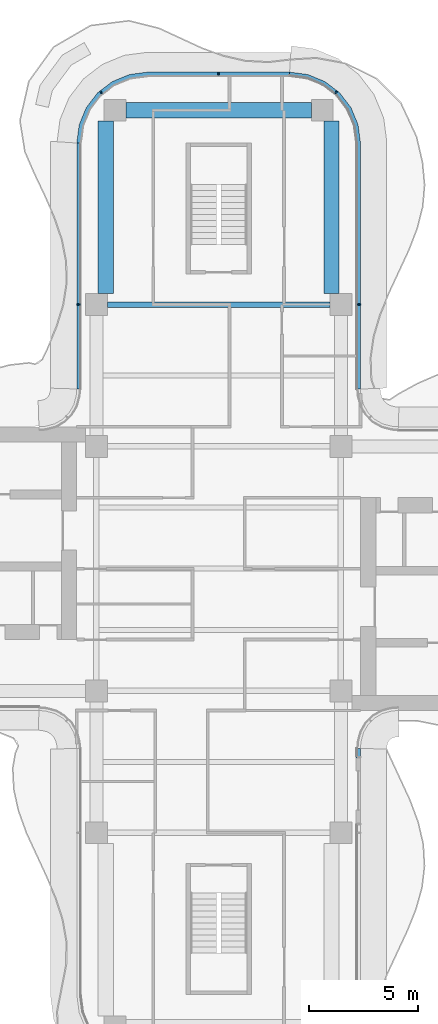
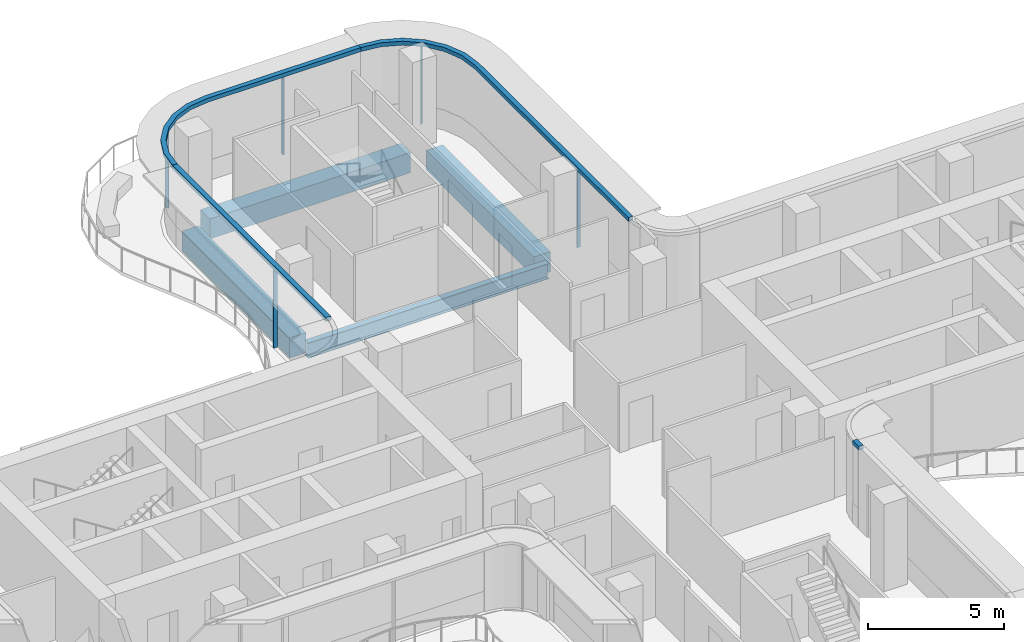
# One storey, part 7 of 17: 9 members, 4 beams, 4 elements without a shape of their own.
"""IFC4 building model written with IfcOpenShell, lengths in metres."""

from ifc_helpers import new_model, si_unit, direction, frame, origin, origin_2d, place, context, subcontext, project, spatial, polyline, rectangle, i_section, outline, extrude, source, transform, mapped, material, layer, layer_set, material_profile, profile_set, type_object, element, aggregate, save


model = new_model("IFC4")

# Units and contexts
model_context = context("Model", 3, precision=1e-05, world=origin(), true_north=direction((0.0, 1.0)))
body_context = subcontext(model_context, "Body", "Model", "MODEL_VIEW")
ifc_project = project(units=[si_unit("LENGTHUNIT", "METRE"), si_unit("AREAUNIT", "SQUARE_METRE"), si_unit("VOLUMEUNIT", "CUBIC_METRE"), si_unit("PLANEANGLEUNIT", "RADIAN"), si_unit("MASSUNIT", "GRAM", prefix="KILO")], contexts=[model_context])

# Site, building, storey
site_placement = place(None, origin())
site = spatial("IfcSite", under=ifc_project, at=site_placement, CompositionType="ELEMENT")
building_placement = place(site_placement, origin())
building = spatial("IfcBuilding", under=site, at=building_placement, Name="Trellis Farm Tower", CompositionType="ELEMENT")
storey_placement = place(building_placement, frame((0.0, 0.0, 283.300048828125)))
storey = spatial("IfcBuildingStorey", under=building, at=storey_placement, Name="L63", CompositionType="ELEMENT", Elevation=283.300048828125)

# Beams
ifc_material_1 = material(Name="Steel S355", Category="steel")
ifc_material_profile_1 = material_profile(ifc_material_1, i_section(OverallWidth=0.253662109375, OverallDepth=0.68359375, WebThickness=0.012451171875, FlangeThickness=0.021728515625, FilletRadius=0.01513671875, at=origin_2d()), Name="UB 686x254x140")
ifc_profile_set_1 = profile_set([ifc_material_profile_1], Name="Steel S355")
beam_type_1 = type_object("IfcBeamType", Name="UB 686x254x140", PredefinedType="BEAM", material=ifc_profile_set_1)
shared_shape_1 = source(origin(), body_context, "Body", "SweptSolid", [
    extrude(i_section(OverallWidth=0.253662109375, OverallDepth=0.68359375, WebThickness=0.012451171875, FlangeThickness=0.021728515625, FilletRadius=0.01513671875, at=origin_2d()), origin(), (0.0, 0.0, 1.0), 10.2001953125),
])
beam_1_placement = place(storey_placement, frame((-5.10009765625, 12.10009765625, -0.541748046875), z_axis=(1.0, 0.0, 0.0), x_axis=(0.0, 1.0, 0.0)))
element("IfcBeam", 1, at=beam_1_placement, inside=storey, type_object=beam_type_1, Name="Girder", PredefinedType="BEAM", context=body_context, shape_type="MappedRepresentation", body=[
    mapped(shared_shape_1, transform((0.0, 0.0, 0.0))),
])
ifc_material_2 = material(Name="Concrete C60/75", Category="concrete")
ifc_material_profile_2 = material_profile(ifc_material_2, rectangle(XDim=0.699951171875, YDim=0.89990234375, at=origin_2d()), Name="RC spandrel beam 700x900 C60/75")
ifc_profile_set_2 = profile_set([ifc_material_profile_2], Name="Concrete C60/75")
beam_type_2 = type_object("IfcBeamType", Name="RC spandrel beam 700x900 C60/75", PredefinedType="SPANDREL", material=ifc_profile_set_2)
shared_shape_2 = source(origin(), body_context, "Body", "SweptSolid", [
    extrude(rectangle(XDim=0.699951171875, YDim=0.89990234375, at=origin_2d()), origin(), (0.0, 0.0, 1.0), 8.5),
])
beam_2_placement = place(storey_placement, frame((-4.25, 21.0, -0.650146484375), z_axis=(1.0, 0.0, 0.0), x_axis=(0.0, 1.0, 0.0)))
element("IfcBeam", 2, at=beam_2_placement, inside=storey, type_object=beam_type_2, Name="Girder", PredefinedType="SPANDREL", context=body_context, shape_type="MappedRepresentation", body=[
    mapped(shared_shape_2, transform((0.0, 0.0, 0.0))),
])
shared_shape_3 = source(origin(), body_context, "Body", "SweptSolid", [
    extrude(rectangle(XDim=0.699951171875, YDim=0.89990234375, at=origin_2d()), origin(), (0.0, 0.0, 1.0), 7.89990234375),
])
for number, where, z_axis, x_axis, name in (
    (3, (-5.175048828125, 12.60009765625, -0.650146484375), (0.0, 1.0, 0.0), (-1.0, 0.0, 0.0), "Girder"),
    (4, (5.175048828125, 12.60009765625, -0.650146484375), (0.0, 1.0, 0.0), (-1.0, 0.0, 0.0), "Girder"),
):
    element("IfcBeam", number, at=place(storey_placement, frame(where, z_axis=z_axis, x_axis=x_axis)), inside=storey, type_object=beam_type_2, Name=name, PredefinedType="SPANDREL", context=body_context, shape_type="MappedRepresentation", body=[
        mapped(shared_shape_3, transform((0.0, 0.0, 0.0))),
    ])

# Curtain wall, member
ifc_material_3 = material(Name="Aluminium and glass curtain wall", Category="aluminium")
ifc_layer_1 = layer(ifc_material_3, 0.18994140625)
ifc_layer_set_1 = layer_set([ifc_layer_1], Name="RIBBON CURTAIN WALL CW1")
curtain_wall_type = type_object("IfcCurtainWallType", Name="RIBBON CURTAIN WALL CW1", PredefinedType="NOTDEFINED", material=ifc_layer_set_1)
placement_1 = place(storey_placement, origin())
curtain_wall_1 = element("IfcCurtainWall", 5, at=placement_1, inside=storey, type_object=curtain_wall_type, Name="CW1 005", PredefinedType="NOTDEFINED")
ifc_material_4 = material(Name="Aluminium extrusion 6063-T6", Category="aluminium")
ifc_layer_2 = layer(ifc_material_4, 0.199951171875)
ifc_layer_set_2 = layer_set([ifc_layer_2], Name="Aluminium extrusion 6063-T6")
member_type_1 = type_object("IfcMemberType", Name="CW1 TRANSOM 200x180", PredefinedType="USERDEFINED", material=ifc_layer_set_2)
shared_shape_4 = source(origin(), body_context, "Body", "SweptSolid", [
    extrude(outline(polyline([(6.5, -8.665771484375), (6.5, -8.2314453125), (6.300048828125, -8.224853515625), (6.300048828125, -8.665771484375), (6.5, -8.665771484375)])), origin(), (0.0, 0.0, 1.0), 0.179931640625),
])
placement_2 = place(storey_placement, frame((0.0, 0.0, 3.52001953125)))
member_1 = element("IfcMember", 6, at=placement_2, type_object=member_type_1, Name="TR1 005", ObjectType="TRANSOM", PredefinedType="USERDEFINED", context=body_context, shape_type="MappedRepresentation", body=[
    mapped(shared_shape_4, transform((0.0, 0.0, 0.0))),
])
aggregate(curtain_wall_1, [member_1])

# Curtain wall, members
curtain_wall_2 = element("IfcCurtainWall", 7, at=placement_1, inside=storey, type_object=curtain_wall_type, Name="CW1 009", PredefinedType="NOTDEFINED")
ifc_material_profile_3 = material_profile(ifc_material_4, rectangle(XDim=0.06005859375, YDim=0.14990234375, at=origin_2d()), Name="MULLION 60x150")
ifc_profile_set_3 = profile_set([ifc_material_profile_3], Name="Aluminium extrusion 6063-T6")
member_type_2 = type_object("IfcMemberType", Name="CW1 MULLION 60x150", PredefinedType="MULLION", material=ifc_profile_set_3)
shared_shape_5 = source(origin(), body_context, "Body", "SweptSolid", [
    extrude(rectangle(XDim=0.06005859375, YDim=0.14990234375, at=origin_2d()), origin(), (0.0, 0.0, 1.0), 3.52001953125),
])
member_2_placement = place(storey_placement, frame((6.425048828125, 12.10009765625, 0.0), z_axis=(0.0, 0.0, 1.0), x_axis=(0.0, 1.0, 0.0)))
member_2 = element("IfcMember", 8, at=member_2_placement, type_object=member_type_2, Name="MU1 009-01", PredefinedType="MULLION", context=body_context, shape_type="MappedRepresentation", body=[
    mapped(shared_shape_5, transform((0.0, 0.0, 0.0))),
])
member_3_placement = place(storey_placement, frame((5.385498046875, 21.828369140625, 0.0), z_axis=(0.0, 0.0, 1.0), x_axis=(-0.793353340291, 0.608761429009, 0.0)))
member_3 = element("IfcMember", 9, at=member_3_placement, type_object=member_type_2, Name="MU1 009-02", PredefinedType="MULLION", context=body_context, shape_type="MappedRepresentation", body=[
    mapped(shared_shape_5, transform((0.0, 0.0, 0.0))),
])

curtain_wall_3 = element("IfcCurtainWall", 10, at=placement_1, inside=storey, type_object=curtain_wall_type, Name="CW1 010", PredefinedType="NOTDEFINED")
member_4_placement = place(storey_placement, frame((0.0, 22.675048828125, 0.0), z_axis=(0.0, 0.0, 1.0), x_axis=(-1.0, 0.0, 0.0)))
member_4 = element("IfcMember", 11, at=member_4_placement, type_object=member_type_2, Name="MU1 010-01", PredefinedType="MULLION", context=body_context, shape_type="MappedRepresentation", body=[
    mapped(shared_shape_5, transform((0.0, 0.0, 0.0))),
])
member_5_placement = place(storey_placement, frame((-5.385498046875, 21.828369140625, 0.0), z_axis=(0.0, 0.0, 1.0), x_axis=(-0.793353340291, -0.608761429009, 0.0)))
member_5 = element("IfcMember", 12, at=member_5_placement, type_object=member_type_2, Name="MU1 010-02", PredefinedType="MULLION", context=body_context, shape_type="MappedRepresentation", body=[
    mapped(shared_shape_5, transform((0.0, 0.0, 0.0))),
])

# Curtain wall, member
curtain_wall_4 = element("IfcCurtainWall", 13, at=placement_1, inside=storey, type_object=curtain_wall_type, Name="CW1 011", PredefinedType="NOTDEFINED")
member_6_placement = place(storey_placement, frame((-6.425048828125, 12.10009765625, 0.0), z_axis=(0.0, 0.0, 1.0), x_axis=(0.0, -1.0, 0.0)))
member_6 = element("IfcMember", 14, at=member_6_placement, type_object=member_type_2, Name="MU1 011-01", PredefinedType="MULLION", context=body_context, shape_type="MappedRepresentation", body=[
    mapped(shared_shape_5, transform((0.0, 0.0, 0.0))),
])

# Member
shared_shape_6 = source(origin(), body_context, "Body", "SweptSolid", [
    extrude(outline(polyline([(6.5, 8.2314453125), (6.5, 19.5), (6.38916015625, 20.341064453125), (6.064697265625, 21.125), (5.548095703125, 21.798095703125), (4.875, 22.314697265625), (4.091064453125, 22.63916015625), (3.25, 22.75), (3.23681640625, 22.550048828125), (4.0390625, 22.4443359375), (4.774169921875, 22.139892578125), (5.405517578125, 21.655517578125), (5.889892578125, 21.024169921875), (6.1943359375, 20.2890625), (6.300048828125, 19.48681640625), (6.300048828125, 8.224853515625), (6.5, 8.2314453125)])), origin(), (0.0, 0.0, 1.0), 0.179931640625),
])
member_7 = element("IfcMember", 15, at=placement_2, type_object=member_type_1, Name="TR1 009", ObjectType="TRANSOM", PredefinedType="USERDEFINED", context=body_context, shape_type="MappedRepresentation", body=[
    mapped(shared_shape_6, transform((0.0, 0.0, 0.0))),
])

aggregate(curtain_wall_2, [member_2, member_3, member_7])

shared_shape_7 = source(origin(), body_context, "Body", "SweptSolid", [
    extrude(outline(polyline([(3.25, 22.75), (-3.25, 22.75), (-4.091064453125, 22.63916015625), (-4.875, 22.314697265625), (-5.548095703125, 21.798095703125), (-6.064697265625, 21.125), (-6.38916015625, 20.341064453125), (-6.5, 19.5), (-6.300048828125, 19.48681640625), (-6.1943359375, 20.2890625), (-5.889892578125, 21.024169921875), (-5.405517578125, 21.655517578125), (-4.774169921875, 22.139892578125), (-4.0390625, 22.4443359375), (-3.23681640625, 22.550048828125), (3.23681640625, 22.550048828125), (3.25, 22.75)])), origin(), (0.0, 0.0, 1.0), 0.179931640625),
])
member_8 = element("IfcMember", 16, at=placement_2, type_object=member_type_1, Name="TR1 010", ObjectType="TRANSOM", PredefinedType="USERDEFINED", context=body_context, shape_type="MappedRepresentation", body=[
    mapped(shared_shape_7, transform((0.0, 0.0, 0.0))),
])

aggregate(curtain_wall_3, [member_4, member_5, member_8])

shared_shape_8 = source(origin(), body_context, "Body", "SweptSolid", [
    extrude(outline(polyline([(-6.5, 19.5), (-6.5, 8.2314453125), (-6.300048828125, 8.224853515625), (-6.300048828125, 19.48681640625), (-6.5, 19.5)])), origin(), (0.0, 0.0, 1.0), 0.179931640625),
])
member_9 = element("IfcMember", 17, at=placement_2, type_object=member_type_1, Name="TR1 011", ObjectType="TRANSOM", PredefinedType="USERDEFINED", context=body_context, shape_type="MappedRepresentation", body=[
    mapped(shared_shape_8, transform((0.0, 0.0, 0.0))),
])

aggregate(curtain_wall_4, [member_6, member_9])

save(model, "model.ifc")
